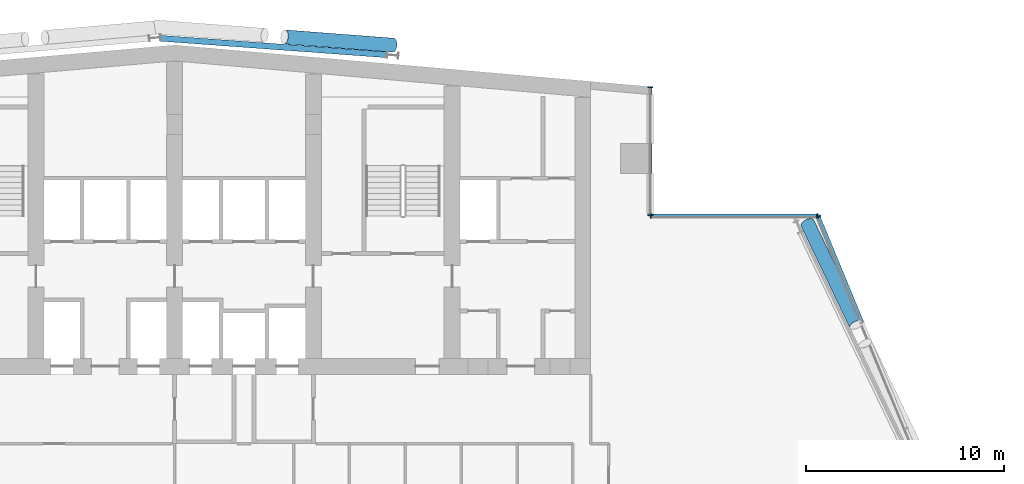
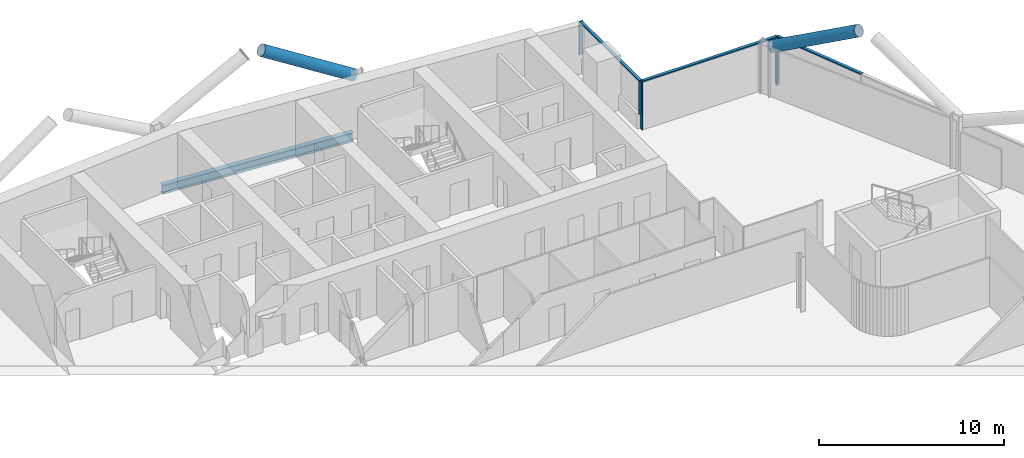
# One storey, part 10 of 29: 10 members, 1 beam, 3 elements without a shape of their own.
"""IFC4 building model written with IfcOpenShell, lengths in metres."""

from ifc_helpers import new_model, si_unit, direction, frame, origin, origin_2d, place, context, subcontext, project, spatial, rectangle, hollow_circle, i_section, extrude, material, material_profile, profile_set, type_object, element, aggregate, save


model = new_model("IFC4")

# Units and contexts
model_context = context("Model", 3, precision=1e-05, world=origin(), true_north=direction((0.0, 1.0)))
body_context = subcontext(model_context, "Body", "Model", "MODEL_VIEW")
ifc_project = project(units=[si_unit("LENGTHUNIT", "METRE"), si_unit("AREAUNIT", "SQUARE_METRE"), si_unit("VOLUMEUNIT", "CUBIC_METRE"), si_unit("PLANEANGLEUNIT", "RADIAN"), si_unit("MASSUNIT", "GRAM", prefix="KILO")], contexts=[model_context])

# Site, building, storey
site_placement = place(None, origin())
site = spatial("IfcSite", under=ifc_project, at=site_placement, CompositionType="ELEMENT")
building_placement = place(site_placement, origin())
building = spatial("IfcBuilding", under=site, at=building_placement, Name="Wharfspan Tower", CompositionType="ELEMENT")
storey_placement = place(building_placement, frame((0.0, 0.0, 162.699951)))
storey = spatial("IfcBuildingStorey", under=building, at=storey_placement, Name="L39", CompositionType="ELEMENT", Elevation=162.699951)

# Beam
ifc_material_1 = material(Name="Steel S355J2", Category="steel")
ifc_material_profile_1 = material_profile(ifc_material_1, i_section(OverallWidth=0.300049, OverallDepth=0.600098, WebThickness=0.015381, FlangeThickness=0.030029, FilletRadius=0.0271, at=origin_2d()))
ifc_profile_set_1 = profile_set([ifc_material_profile_1], Name="Steel S355J2")
beam_type = type_object("IfcBeamType", Name="Edge beam HEB 600", PredefinedType="SPANDREL", material=ifc_profile_set_1)
beam_placement = place(storey_placement, frame((36.299072, 50.965332, -0.699951), z_axis=(0.997353, -0.072713, 0.0), x_axis=(0.072713, 0.997353, 0.0)))
element("IfcBeam", 1, at=beam_placement, inside=storey, type_object=beam_type, Name="Edge beam L39 R.2 to R.3", PredefinedType="SPANDREL", context=body_context, shape_type="SweptSolid", body=[
    extrude(i_section(OverallWidth=0.300049, OverallDepth=0.600098, WebThickness=0.015381, FlangeThickness=0.030029, FilletRadius=0.0271, at=origin_2d()), origin(), (0.0, 0.0, 1.0), 11.436035),
])

# Curtain wall, member
ifc_material_2 = material(Name="Aluminium 6063-T6", Category="aluminium")
curtain_wall_type = type_object("IfcCurtainWallType", Name="CURTAIN WALL PROW AND END", PredefinedType="NOTDEFINED", material=ifc_material_2)
curtain_wall_1_placement = place(storey_placement, origin())
curtain_wall_1 = element("IfcCurtainWall", 2, at=curtain_wall_1_placement, inside=storey, type_object=curtain_wall_type, Name="Curtain wall E", PredefinedType="NOTDEFINED")
ifc_material_profile_2 = material_profile(ifc_material_2, rectangle(XDim=0.23999, YDim=0.060059, at=origin_2d()))
ifc_profile_set_2 = profile_set([ifc_material_profile_2], Name="Aluminium 6063-T6")
member_type_1 = type_object("IfcMemberType", Name="MULLION PROW AND END 60x240", PredefinedType="MULLION", material=ifc_profile_set_2)
member_1_placement = place(storey_placement, frame((69.488525, 41.972168, 0.0), z_axis=(0.0, 0.0, 1.0), x_axis=(-0.924325, -0.381602, 0.0)))
member_1 = element("IfcMember", 3, at=member_1_placement, type_object=member_type_1, Name="Curtain wall E mullion 8", PredefinedType="MULLION", context=body_context, shape_type="SweptSolid", body=[
    extrude(rectangle(XDim=0.23999, YDim=0.060059, at=origin_2d()), origin(), (0.0, 0.0, 1.0), 3.199951),
])

# Curtain wall, members
curtain_wall_2_placement = place(storey_placement, origin())
curtain_wall_2 = element("IfcCurtainWall", 4, at=curtain_wall_2_placement, inside=storey, type_object=curtain_wall_type, Name="Curtain wall NRE-H", PredefinedType="NOTDEFINED")
member_2_placement = place(storey_placement, frame((69.447021, 42.0, 0.0), z_axis=(0.0, 0.0, 1.0), x_axis=(0.0, -1.0, 0.0)))
member_2 = element("IfcMember", 5, at=member_2_placement, type_object=member_type_1, Name="Curtain wall NRE-H mullion 1", PredefinedType="MULLION", context=body_context, shape_type="SweptSolid", body=[
    extrude(rectangle(XDim=0.23999, YDim=0.060059, at=origin_2d()), origin(), (0.0, 0.0, 1.0), 3.199951),
])
member_3_placement = place(storey_placement, frame((61.030029, 42.0, 0.0), z_axis=(0.0, 0.0, 1.0), x_axis=(0.0, -1.0, 0.0)))
member_3 = element("IfcMember", 6, at=member_3_placement, type_object=member_type_1, Name="Curtain wall NRE-H mullion 2", PredefinedType="MULLION", context=body_context, shape_type="SweptSolid", body=[
    extrude(rectangle(XDim=0.23999, YDim=0.060059, at=origin_2d()), origin(), (0.0, 0.0, 1.0), 3.199951),
])

curtain_wall_3_placement = place(storey_placement, origin())
curtain_wall_3 = element("IfcCurtainWall", 7, at=curtain_wall_3_placement, inside=storey, type_object=curtain_wall_type, Name="Curtain wall NRE-V", PredefinedType="NOTDEFINED")
member_4_placement = place(storey_placement, frame((61.0, 42.030029, 1.0), z_axis=(0.0, 0.0, 1.0), x_axis=(-1.0, 0.0, 0.0)))
member_4 = element("IfcMember", 8, at=member_4_placement, type_object=member_type_1, Name="Curtain wall NRE-V mullion 1", PredefinedType="MULLION", context=body_context, shape_type="SweptSolid", body=[
    extrude(rectangle(XDim=0.23999, YDim=0.060059, at=origin_2d()), origin(), (0.0, 0.0, 1.0), 2.199951),
])
member_5_placement = place(storey_placement, frame((61.0, 48.494873, 1.0), z_axis=(0.0, 0.0, 1.0), x_axis=(-1.0, 0.0, 0.0)))
member_5 = element("IfcMember", 9, at=member_5_placement, type_object=member_type_1, Name="Curtain wall NRE-V mullion 2", PredefinedType="MULLION", context=body_context, shape_type="SweptSolid", body=[
    extrude(rectangle(XDim=0.23999, YDim=0.060059, at=origin_2d()), origin(), (0.0, 0.0, 1.0), 2.199951),
])

# Members
ifc_material_3 = material(Name="Steel S460NH", Category="steel")
ifc_material_profile_3 = material_profile(ifc_material_3, hollow_circle(Radius=0.355469, WallThickness=0.035889, at=origin_2d()))
ifc_profile_set_3 = profile_set([ifc_material_profile_3], Name="Steel S460NH")
member_type_2 = type_object("IfcMemberType", Name="Mega brace CHS 711x36", PredefinedType="BRACE", material=ifc_profile_set_3)
member_6_placement = place(storey_placement, frame((68.938721, 41.643066, 2.900146), z_axis=(0.374119, -0.780731, 0.500494), x_axis=(0.90181, 0.432137, -3e-06)))
element("IfcMember", 10, at=member_6_placement, inside=storey, type_object=member_type_2, Name="Mega brace E6 L40 part 3", PredefinedType="BRACE", context=body_context, shape_type="SweptSolid", body=[
    extrude(hollow_circle(Radius=0.355469, WallThickness=0.035889, at=origin_2d()), origin(), (0.0, 0.0, 1.0), 6.581787),
])
member_7_placement = place(storey_placement, frame((48.036865, 50.617676, 2.900146), z_axis=(-0.855612, 0.065363, 0.513474), x_axis=(-0.07617, -0.997093, 2e-06)))
element("IfcMember", 11, at=member_7_placement, inside=storey, type_object=member_type_2, Name="Mega brace N8 L40 part 3", PredefinedType="BRACE", context=body_context, shape_type="SweptSolid", body=[
    extrude(hollow_circle(Radius=0.355469, WallThickness=0.035889, at=origin_2d()), origin(), (0.0, 0.0, 1.0), 6.420654),
])

# Member
ifc_material_profile_4 = material_profile(ifc_material_2, rectangle(XDim=0.179932, YDim=0.080078, at=origin_2d()))
ifc_profile_set_4 = profile_set([ifc_material_profile_4], Name="Aluminium 6063-T6")
member_type_3 = type_object("IfcMemberType", Name="TRANSOM PROW AND END 80x180", PredefinedType="USERDEFINED", material=ifc_profile_set_4)
member_8_placement = place(storey_placement, frame((71.683105, 36.65625, 3.160156), z_axis=(-0.38158, 0.924336, 0.0), x_axis=(-0.924336, -0.38158, 0.0)))
member_8 = element("IfcMember", 12, at=member_8_placement, type_object=member_type_3, Name="Curtain wall E transom 7", ObjectType="TRANSOM", PredefinedType="USERDEFINED", context=body_context, shape_type="SweptSolid", body=[
    extrude(rectangle(XDim=0.179932, YDim=0.080078, at=origin_2d()), origin(), (0.0, 0.0, 1.0), 5.721191),
])

aggregate(curtain_wall_1, [member_1, member_8])

member_9_placement = place(storey_placement, frame((69.416992, 42.0, 3.160156), z_axis=(-1.0, 0.0, 0.0), x_axis=(0.0, -1.0, 0.0)))
member_9 = element("IfcMember", 13, at=member_9_placement, type_object=member_type_3, Name="Curtain wall NRE-H transom 1", ObjectType="TRANSOM", PredefinedType="USERDEFINED", context=body_context, shape_type="SweptSolid", body=[
    extrude(rectangle(XDim=0.179932, YDim=0.080078, at=origin_2d()), origin(), (0.0, 0.0, 1.0), 8.356934),
])

aggregate(curtain_wall_2, [member_2, member_3, member_9])

member_10_placement = place(storey_placement, frame((61.0, 42.060059, 3.160156), z_axis=(0.0, 1.0, 0.0), x_axis=(-1.0, 0.0, 0.0)))
member_10 = element("IfcMember", 14, at=member_10_placement, type_object=member_type_3, Name="Curtain wall NRE-V transom 1", ObjectType="TRANSOM", PredefinedType="USERDEFINED", context=body_context, shape_type="SweptSolid", body=[
    extrude(rectangle(XDim=0.179932, YDim=0.080078, at=origin_2d()), origin(), (0.0, 0.0, 1.0), 6.404785),
])

aggregate(curtain_wall_3, [member_4, member_5, member_10])

save(model, "model.ifc")
